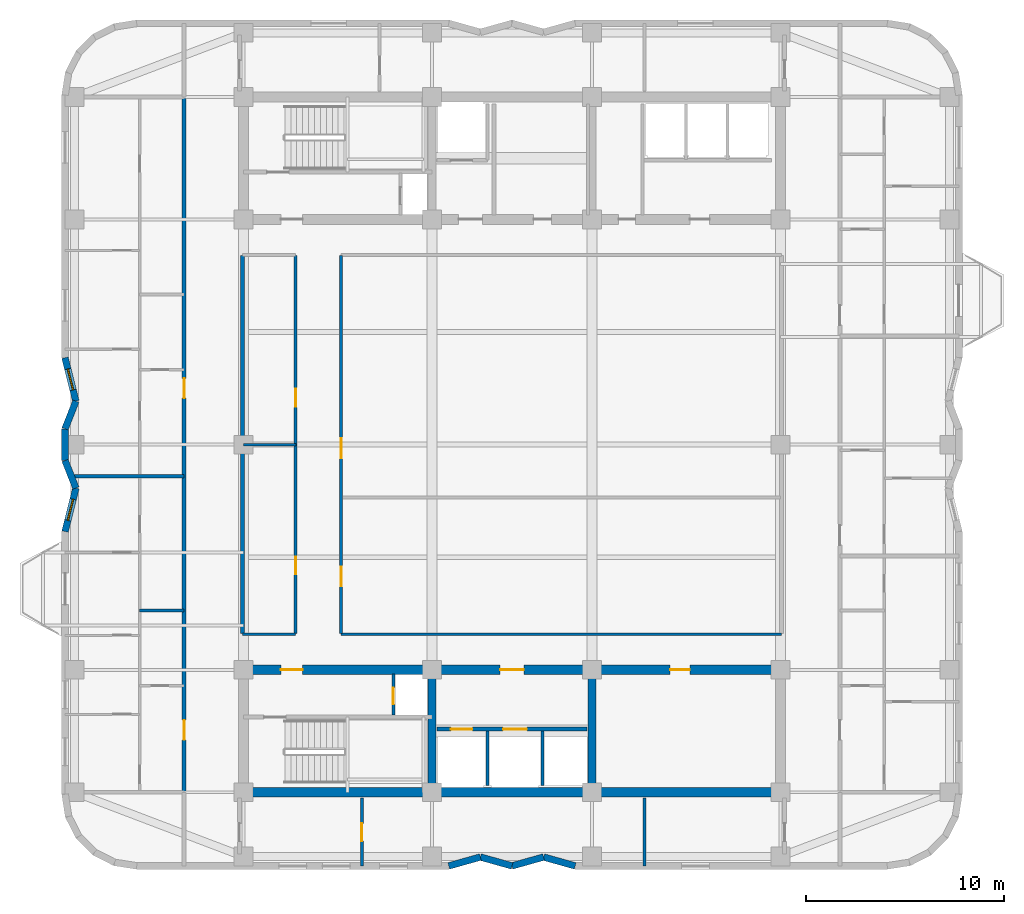
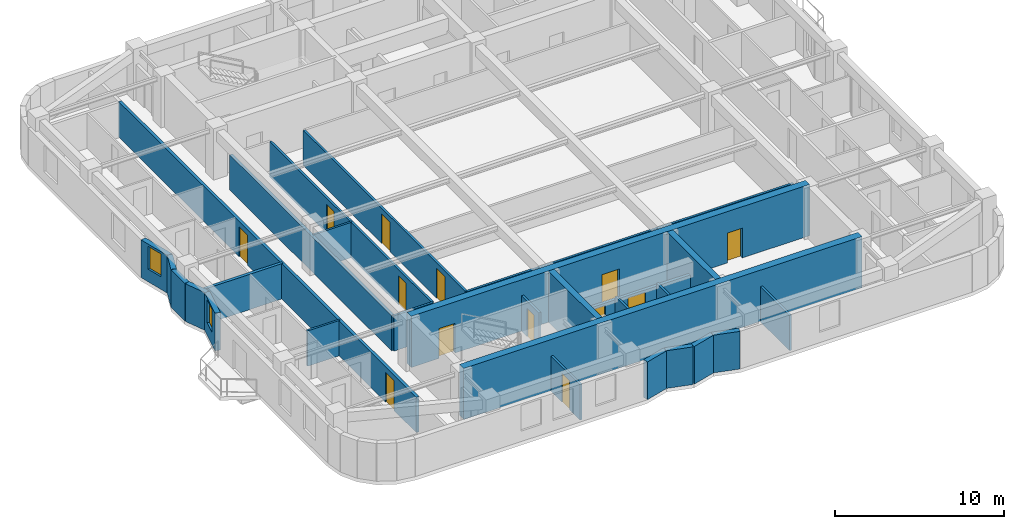
# One storey, part 3 of 8: 28 walls, 13 doors, 2 windows, 15 openings.
"""IFC4 building model written with IfcOpenShell, lengths in metres."""

from ifc_helpers import new_model, si_unit, direction, frame, frame_2d, origin, place, context, subcontext, project, spatial, rectangle, extrude, material, layer, layer_set, type_object, element, fill, save


model = new_model("IFC4")

# Units and contexts
model_context = context("Model", 3, precision=1e-05, world=origin(), true_north=direction((0.0, 1.0)))
body_context = subcontext(model_context, "Body", "Model", "MODEL_VIEW")
ifc_project = project(units=[si_unit("LENGTHUNIT", "METRE"), si_unit("AREAUNIT", "SQUARE_METRE"), si_unit("VOLUMEUNIT", "CUBIC_METRE"), si_unit("PLANEANGLEUNIT", "RADIAN"), si_unit("MASSUNIT", "GRAM", prefix="KILO")], contexts=[model_context])

# Site, building, storey
site_placement = place(None, origin())
site = spatial("IfcSite", under=ifc_project, at=site_placement, CompositionType="ELEMENT")
building_placement = place(site_placement, origin())
building = spatial("IfcBuilding", under=site, at=building_placement, Name="Svetorya Sky Lyceum", CompositionType="ELEMENT")
storey_placement = place(building_placement, frame((0.0, 0.0, 151.5)))
storey = spatial("IfcBuildingStorey", under=building, at=storey_placement, Name="L37", CompositionType="ELEMENT", Elevation=151.5)

# Walls
ifc_material_1 = material(Name="Concrete C40/50", Category="concrete")
ifc_layer_1 = layer(ifc_material_1, 0.39990234375)
ifc_layer_set_1 = layer_set([ifc_layer_1], Name="Concrete C40/50")
wall_type_1 = type_object("IfcWallType", Name="WL-CORE-400", PredefinedType="SHEAR", material=ifc_layer_set_1)
for number, where, z_axis, x_axis, name in (
    (1, (35.14990234375, 10.85009765625, 0.0), (0.0, 0.0, 1.0), (0.0, 1.0, 0.0), "L37 SC Internal Shear Web WEB1"),
    (2, (43.25, 10.85009765625, 0.0), (0.0, 0.0, 1.0), (0.0, 1.0, 0.0), "L37 SC Internal Shear Web WEB2"),
):
    element("IfcWall", number, at=place(storey_placement, frame(where, z_axis=z_axis, x_axis=x_axis)), inside=storey, type_object=wall_type_1, Name=name, PredefinedType="SHEAR", context=body_context, shape_type="SweptSolid", body=[
        extrude(rectangle(XDim=5.699951171875, YDim=0.39990234375, at=frame_2d((2.85009765625, 0.0))), origin(), (0.0, 0.0, 1.0), 3.699951171875),
    ])
ifc_material_2 = material(Name="Concrete C50/60", Category="concrete")
ifc_layer_2 = layer(ifc_material_2, 0.5)
ifc_layer_set_2 = layer_set([ifc_layer_2], Name="Concrete C50/60")
wall_type_2 = type_object("IfcWallType", Name="WL-CORE-500", PredefinedType="SHEAR", material=ifc_layer_set_2)
wall_1_placement = place(storey_placement, frame((52.800048828125, 10.60009765625, 0.0), z_axis=(0.0, 0.0, 1.0), x_axis=(-1.0, 0.0, 0.0)))
element("IfcWall", 3, at=wall_1_placement, inside=storey, type_object=wall_type_2, Name="L37 SC Outer Core Shear Wall", PredefinedType="SHEAR", context=body_context, shape_type="SweptSolid", body=[
    extrude(rectangle(XDim=27.199951171875, YDim=0.5, at=frame_2d((13.60009765625, 0.0))), origin(), (0.0, 0.0, 1.0), 3.699951171875),
])

# Wall, openings, doors
wall_2_placement = place(storey_placement, frame((25.60009765625, 16.800048828125, 0.0), z_axis=(0.0, 0.0, 1.0), x_axis=(1.0, 0.0, 0.0)))
wall_2 = element("IfcWall", 4, at=wall_2_placement, inside=storey, type_object=wall_type_2, Name="L37 SC Inner Core Shear Wall", PredefinedType="SHEAR", context=body_context, shape_type="SweptSolid", body=[
    extrude(rectangle(XDim=27.199951171875, YDim=0.5, at=frame_2d((13.60009765625, 0.0))), origin(), (0.0, 0.0, 1.0), 3.699951171875),
])
opening_1_placement = place(wall_2_placement, frame((1.89990234375, 0.0, 0.0)))
opening_1 = element("IfcOpeningElement", 5, at=opening_1_placement, cuts=wall_2, Name="Opening D-ST1", PredefinedType="OPENING", context=body_context, shape_type="SweptSolid", body=[
    extrude(rectangle(XDim=1.10009765625, YDim=2.14990234375, at=frame_2d((0.550048828125, 1.074951171875))), frame((0.0, 0.260009765625, 0.0), z_axis=(0.0, -1.0, 0.0), x_axis=(1.0, 0.0, 0.0)), (0.0, 0.0, 1.0), 0.52001953125),
])
opening_2_placement = place(wall_2_placement, frame((13.0, 0.0, 0.0)))
opening_2 = element("IfcOpeningElement", 6, at=opening_2_placement, cuts=wall_2, Name="Opening D-FL1", PredefinedType="OPENING", context=body_context, shape_type="SweptSolid", body=[
    extrude(rectangle(XDim=1.199951171875, YDim=2.14990234375, at=frame_2d((0.60009765625, 1.074951171875))), frame((0.0, 0.260009765625, 0.0), z_axis=(0.0, -1.0, 0.0), x_axis=(1.0, 0.0, 0.0)), (0.0, 0.0, 1.0), 0.52001953125),
])
opening_3_placement = place(wall_2_placement, frame((21.60009765625, 0.0, 0.0)))
opening_3 = element("IfcOpeningElement", 7, at=opening_3_placement, cuts=wall_2, Name="Opening D-RM2", PredefinedType="OPENING", context=body_context, shape_type="SweptSolid", body=[
    extrude(rectangle(XDim=1.0, YDim=2.14990234375, at=frame_2d((0.5, 1.074951171875))), frame((0.0, 0.260009765625, 0.0), z_axis=(0.0, -1.0, 0.0), x_axis=(1.0, 0.0, 0.0)), (0.0, 0.0, 1.0), 0.52001953125),
])
ifc_material_3 = material(Name="Powder-coated insulated galvanized stair fire door")
door_type_1 = type_object("IfcDoorType", Name="DR-FIRE-1100", OperationType="SINGLE_SWING_LEFT", PredefinedType="DOOR", material=ifc_material_3)
door_1_placement = place(opening_1_placement, origin())
door_1 = element("IfcDoor", 8, at=door_1_placement, inside=storey, type_object=door_type_1, Name="L37 South Stair Airlock Door", OperationType="SINGLE_SWING_RIGHT", OverallHeight=2.14990234375, OverallWidth=1.10009765625, PredefinedType="DOOR", context=body_context, shape_type="SweptSolid", body=[
    extrude(rectangle(XDim=1.10009765625, YDim=2.14990234375, at=frame_2d((0.550048828125, 1.074951171875))), frame((0.0, 0.02490234375, 0.0), z_axis=(0.0, -1.0, 0.0), x_axis=(1.0, 0.0, 0.0)), (0.0, 0.0, 1.0), 0.050048828125),
])
fill(opening_1, door_1)
ifc_material_4 = material(Name="Powder-coated insulated galvanized fire door")
door_type_2 = type_object("IfcDoorType", Name="DR-FIRE-1200", OperationType="SINGLE_SWING_LEFT", PredefinedType="DOOR", material=ifc_material_4)
door_2_placement = place(opening_2_placement, origin())
door_2 = element("IfcDoor", 9, at=door_2_placement, inside=storey, type_object=door_type_2, Name="L37 South Firefighting Lift Lobby Door", OperationType="SINGLE_SWING_LEFT", OverallHeight=2.14990234375, OverallWidth=1.199951171875, PredefinedType="DOOR", context=body_context, shape_type="SweptSolid", body=[
    extrude(rectangle(XDim=1.199951171875, YDim=2.14990234375, at=frame_2d((0.60009765625, 1.074951171875))), frame((0.0, 0.02490234375, 0.0), z_axis=(0.0, -1.0, 0.0), x_axis=(1.0, 0.0, 0.0)), (0.0, 0.0, 1.0), 0.050048828125),
])
fill(opening_2, door_2)
ifc_material_5 = material(Name="Solid-core oak acoustic room door")
door_type_3 = type_object("IfcDoorType", Name="DR-INT-1000", OperationType="SINGLE_SWING_LEFT", PredefinedType="DOOR", material=ifc_material_5)
door_3_placement = place(opening_3_placement, origin())
door_3 = element("IfcDoor", 10, at=door_3_placement, inside=storey, type_object=door_type_3, Name="L37 Trunk Store Door", OperationType="SINGLE_SWING_LEFT", OverallHeight=2.14990234375, OverallWidth=1.0, PredefinedType="DOOR", context=body_context, shape_type="SweptSolid", body=[
    extrude(rectangle(XDim=1.0, YDim=2.14990234375, at=frame_2d((0.5, 1.074951171875))), frame((0.0, 0.02490234375, 0.0), z_axis=(0.0, -1.0, 0.0), x_axis=(1.0, 0.0, 0.0)), (0.0, 0.0, 1.0), 0.050048828125),
])
fill(opening_3, door_3)

# Walls
ifc_material_6 = material(Name="Putilovo limestone rainscreen on autoclaved cellular masonry", Category="masonry")
ifc_layer_3 = layer(ifc_material_6, 0.340087890625)
ifc_layer_set_3 = layer_set([ifc_layer_3], Name="Putilovo limestone rainscreen on autoclaved cellular masonry")
wall_type_3 = type_object("IfcWallType", Name="WL-EXT-340", PredefinedType="SOLIDWALL", material=ifc_layer_set_3)
wall_3_placement = place(storey_placement, frame((36.0, 6.8701171875, 0.0), z_axis=(0.0, 0.0, 1.0), x_axis=(0.962662902433, 0.270703040766, 0.0)))
element("IfcWall", 11, at=wall_3_placement, inside=storey, type_object=wall_type_3, Name="L37 Limestone Exterior Wall 7M", PredefinedType="SOLIDWALL", context=body_context, shape_type="SweptSolid", body=[
    extrude(rectangle(XDim=1.662109375, YDim=0.340087890625, at=frame_2d((0.8310546875, 0.0))), origin(), (0.0, 0.0, 1.0), 2.719970703125),
])
wall_4_placement = place(storey_placement, frame((37.60009765625, 7.320068359375, 0.0), z_axis=(0.0, 0.0, 1.0), x_axis=(0.962652136636, -0.270741322725, 0.0)))
element("IfcWall", 12, at=wall_4_placement, inside=storey, type_object=wall_type_3, Name="L37 Limestone Exterior Wall 8M", PredefinedType="SOLIDWALL", context=body_context, shape_type="SweptSolid", body=[
    extrude(rectangle(XDim=1.661865234375, YDim=0.340087890625, at=frame_2d((0.8310546875, 0.0))), origin(), (0.0, 0.0, 1.0), 2.719970703125),
])
wall_5_placement = place(storey_placement, frame((39.199951171875, 6.8701171875, 0.0), z_axis=(0.0, 0.0, 1.0), x_axis=(0.962662902433, 0.270703040766, 0.0)))
element("IfcWall", 13, at=wall_5_placement, inside=storey, type_object=wall_type_3, Name="L37 Limestone Exterior Wall 9M", PredefinedType="SOLIDWALL", context=body_context, shape_type="SweptSolid", body=[
    extrude(rectangle(XDim=1.662109375, YDim=0.340087890625, at=frame_2d((0.8310546875, 0.0))), origin(), (0.0, 0.0, 1.0), 2.719970703125),
])
wall_6_placement = place(storey_placement, frame((40.800048828125, 7.320068359375, 0.0), z_axis=(0.0, 0.0, 1.0), x_axis=(0.962652136636, -0.270741322725, 0.0)))
element("IfcWall", 14, at=wall_6_placement, inside=storey, type_object=wall_type_3, Name="L37 Limestone Exterior Wall 10M", PredefinedType="SOLIDWALL", context=body_context, shape_type="SweptSolid", body=[
    extrude(rectangle(XDim=1.661865234375, YDim=0.340087890625, at=frame_2d((0.8310546875, 0.0))), origin(), (0.0, 0.0, 1.0), 2.719970703125),
])

# Wall, opening, window
wall_7_placement = place(storey_placement, frame((16.570068359375, 32.60009765625, 0.0), z_axis=(0.0, 0.0, 1.0), x_axis=(0.242535625036, -0.970142500145, 0.0)))
wall_7 = element("IfcWall", 15, at=wall_7_placement, inside=storey, type_object=wall_type_3, Name="L37 Limestone Exterior Wall 41M", PredefinedType="SOLIDWALL", context=body_context, shape_type="SweptSolid", body=[
    extrude(rectangle(XDim=2.267822265625, YDim=0.340087890625, at=frame_2d((1.1337890625, 0.0))), origin(), (0.0, 0.0, 1.0), 2.719970703125),
])
opening_4_placement = place(wall_7_placement, frame((0.583984375, 0.0, 0.909912109375)))
opening_4 = element("IfcOpeningElement", 16, at=opening_4_placement, cuts=wall_7, Name="Opening W-R3", PredefinedType="OPENING", context=body_context, shape_type="SweptSolid", body=[
    extrude(rectangle(XDim=1.10009765625, YDim=1.64990234375, at=frame_2d((0.550048828125, 0.824951171875))), frame((0.0, 0.179931640625, 0.0), z_axis=(0.0, -1.0, 0.0), x_axis=(1.0, 0.0, 0.0)), (0.0, 0.0, 1.0), 0.360107421875),
])
ifc_material_7 = material(Name="Thermally broken aluminium frame with triple low-E glazing", Category="aluminium")
window_type = type_object("IfcWindowType", Name="WN-RES-110", PartitioningType="SINGLE_PANEL", PredefinedType="WINDOW", material=ifc_material_7)
window_1_placement = place(opening_4_placement, origin())
window_1 = element("IfcWindow", 17, at=window_1_placement, inside=storey, type_object=window_type, Name="L37 Facade Window W-R3.41M.1", OverallHeight=1.64990234375, OverallWidth=1.10009765625, PartitioningType="SINGLE_PANEL", PredefinedType="WINDOW", context=body_context, shape_type="SweptSolid", body=[
    extrude(rectangle(XDim=1.10009765625, YDim=1.64990234375, at=frame_2d((0.550048828125, 0.824951171875))), frame((0.0, 0.030029296875, 0.0), z_axis=(0.0, -1.0, 0.0), x_axis=(1.0, 0.0, 0.0)), (0.0, 0.0, 1.0), 0.06005859375),
])
fill(opening_4, window_1)

# Walls
wall_8_placement = place(storey_placement, frame((17.1201171875, 30.39990234375, 0.0), z_axis=(0.0, 0.0, 1.0), x_axis=(-0.365702591843, -0.930731762818, 0.0)))
element("IfcWall", 18, at=wall_8_placement, inside=storey, type_object=wall_type_3, Name="L37 Limestone Exterior Wall 42M", PredefinedType="SOLIDWALL", context=body_context, shape_type="SweptSolid", body=[
    extrude(rectangle(XDim=1.504150390625, YDim=0.340087890625, at=frame_2d((0.751953125, 0.0))), origin(), (0.0, 0.0, 1.0), 2.719970703125),
])
wall_9_placement = place(storey_placement, frame((16.570068359375, 29.0, 0.0), z_axis=(0.0, 0.0, 1.0), x_axis=(0.0, -1.0, 0.0)))
element("IfcWall", 19, at=wall_9_placement, inside=storey, type_object=wall_type_3, Name="L37 Limestone Exterior Wall 43M", PredefinedType="SOLIDWALL", context=body_context, shape_type="SweptSolid", body=[
    extrude(rectangle(XDim=1.60009765625, YDim=0.340087890625, at=frame_2d((0.800048828125, 0.0))), origin(), (0.0, 0.0, 1.0), 2.719970703125),
])
wall_10_placement = place(storey_placement, frame((16.570068359375, 27.39990234375, 0.0), z_axis=(0.0, 0.0, 1.0), x_axis=(0.365702591843, -0.930731762818, 0.0)))
element("IfcWall", 20, at=wall_10_placement, inside=storey, type_object=wall_type_3, Name="L37 Limestone Exterior Wall 44M", PredefinedType="SOLIDWALL", context=body_context, shape_type="SweptSolid", body=[
    extrude(rectangle(XDim=1.504150390625, YDim=0.340087890625, at=frame_2d((0.751953125, 0.0))), origin(), (0.0, 0.0, 1.0), 2.719970703125),
])

# Wall, opening, window
wall_11_placement = place(storey_placement, frame((17.1201171875, 26.0, 0.0), z_axis=(0.0, 0.0, 1.0), x_axis=(-0.242560957029, -0.970136166796, 0.0)))
wall_11 = element("IfcWall", 21, at=wall_11_placement, inside=storey, type_object=wall_type_3, Name="L37 Limestone Exterior Wall 45M", PredefinedType="SOLIDWALL", context=body_context, shape_type="SweptSolid", body=[
    extrude(rectangle(XDim=2.267578125, YDim=0.340087890625, at=frame_2d((1.1337890625, 0.0))), origin(), (0.0, 0.0, 1.0), 2.719970703125),
])
opening_5_placement = place(wall_11_placement, frame((0.583984375, 0.0, 0.909912109375)))
opening_5 = element("IfcOpeningElement", 22, at=opening_5_placement, cuts=wall_11, Name="Opening W-R3", PredefinedType="OPENING", context=body_context, shape_type="SweptSolid", body=[
    extrude(rectangle(XDim=1.10009765625, YDim=1.64990234375, at=frame_2d((0.550048828125, 0.824951171875))), frame((0.0, 0.179931640625, 0.0), z_axis=(0.0, -1.0, 0.0), x_axis=(1.0, 0.0, 0.0)), (0.0, 0.0, 1.0), 0.360107421875),
])
window_2_placement = place(opening_5_placement, origin())
window_2 = element("IfcWindow", 23, at=window_2_placement, inside=storey, type_object=window_type, Name="L37 Facade Window W-R3.45M.1", OverallHeight=1.64990234375, OverallWidth=1.10009765625, PartitioningType="SINGLE_PANEL", PredefinedType="WINDOW", context=body_context, shape_type="SweptSolid", body=[
    extrude(rectangle(XDim=1.10009765625, YDim=1.64990234375, at=frame_2d((0.550048828125, 0.824951171875))), frame((0.0, 0.030029296875, 0.0), z_axis=(0.0, -1.0, 0.0), x_axis=(1.0, 0.0, 0.0)), (0.0, 0.0, 1.0), 0.06005859375),
])
fill(opening_5, window_2)

# Walls
ifc_material_8 = material(Name="Twin-stud galvanized framing with acoustic board", Category="gypsum")
ifc_layer_4 = layer(ifc_material_8, 0.135009765625)
ifc_layer_set_4 = layer_set([ifc_layer_4], Name="Twin-stud galvanized framing with acoustic board")
wall_type_4 = type_object("IfcWallType", Name="WL-PART-135", PredefinedType="PARTITIONING", material=ifc_layer_set_4)
wall_12_placement = place(storey_placement, frame((25.60009765625, 28.199951171875, 0.0), z_axis=(0.0, 0.0, 1.0), x_axis=(1.0, 0.0, 0.0)))
element("IfcWall", 24, at=wall_12_placement, inside=storey, type_object=wall_type_4, Name="L37 Interior Partition OFF-HW", PredefinedType="PARTITIONING", context=body_context, shape_type="SweptSolid", body=[
    extrude(rectangle(XDim=2.659912109375, YDim=0.135009765625, at=frame_2d((1.330078125, 0.0))), origin(), (0.0, 0.0, 1.0), 2.550048828125),
])
wall_13_placement = place(storey_placement, frame((20.35009765625, 19.800048828125, 0.0), z_axis=(0.0, 0.0, 1.0), x_axis=(1.0, 0.0, 0.0)))
element("IfcWall", 25, at=wall_13_placement, inside=storey, type_object=wall_type_4, Name="L37 Interior Partition W1-WH2", PredefinedType="PARTITIONING", context=body_context, shape_type="SweptSolid", body=[
    extrude(rectangle(XDim=2.25, YDim=0.135009765625, at=frame_2d((1.125, 0.0))), origin(), (0.0, 0.0, 1.0), 2.550048828125),
])

# Wall, opening, door
ifc_material_9 = material(Name="Autoclaved cellular masonry blockwork with acoustic render", Category="masonry")
ifc_layer_5 = layer(ifc_material_9, 0.14990234375)
ifc_layer_set_5 = layer_set([ifc_layer_5], Name="Autoclaved cellular masonry blockwork with acoustic render")
wall_type_5 = type_object("IfcWallType", Name="WL-PART-150", PredefinedType="PARTITIONING", material=ifc_layer_set_5)
wall_14_placement = place(storey_placement, frame((33.199951171875, 14.5, 0.0), z_axis=(0.0, 0.0, 1.0), x_axis=(0.0, 1.0, 0.0)))
wall_14 = element("IfcWall", 26, at=wall_14_placement, inside=storey, type_object=wall_type_5, Name="L37 Interior Partition SC-AIRDIV", PredefinedType="PARTITIONING", context=body_context, shape_type="SweptSolid", body=[
    extrude(rectangle(XDim=2.080078125, YDim=0.14990234375, at=frame_2d((1.0400390625, 0.0))), origin(), (0.0, 0.0, 1.0), 2.550048828125),
])
opening_6_placement = place(wall_14_placement, frame((0.550048828125, 0.0, 0.0)))
opening_6 = element("IfcOpeningElement", 27, at=opening_6_placement, cuts=wall_14, Name="Opening D-SH1", PredefinedType="OPENING", context=body_context, shape_type="SweptSolid", body=[
    extrude(rectangle(XDim=0.85009765625, YDim=2.050048828125, at=frame_2d((0.425048828125, 1.02490234375))), frame((0.0, 0.0849609375, 0.0), z_axis=(0.0, -1.0, 0.0), x_axis=(1.0, 0.0, 0.0)), (0.0, 0.0, 1.0), 0.169921875),
])
ifc_material_10 = material(Name="Insulated galvanized riser inspection fire door")
door_type_4 = type_object("IfcDoorType", Name="DR-SHFT-850", OperationType="SINGLE_SWING_LEFT", PredefinedType="TRAPDOOR", material=ifc_material_10)
door_4_placement = place(opening_6_placement, origin())
door_4 = element("IfcDoor", 28, at=door_4_placement, inside=storey, type_object=door_type_4, Name="L37 South Riser Access Door", OperationType="SINGLE_SWING_RIGHT", OverallHeight=2.050048828125, OverallWidth=0.85009765625, PredefinedType="TRAPDOOR", context=body_context, shape_type="SweptSolid", body=[
    extrude(rectangle(XDim=0.85009765625, YDim=2.050048828125, at=frame_2d((0.425048828125, 1.02490234375))), frame((0.0, 0.02490234375, 0.0), z_axis=(0.0, -1.0, 0.0), x_axis=(1.0, 0.0, 0.0)), (0.0, 0.0, 1.0), 0.050048828125),
])
fill(opening_6, door_4)

# Walls
for number, where, z_axis, x_axis, name in (
    (29, (37.949951171875, 10.949951171875, 0.0), (0.0, 0.0, 1.0), (0.0, 1.0, 0.0), "L37 Interior Partition SC-SHD1"),
    (30, (40.75, 10.949951171875, 0.0), (0.0, 0.0, 1.0), (0.0, 1.0, 0.0), "L37 Interior Partition SC-SHD2"),
):
    element("IfcWall", number, at=place(storey_placement, frame(where, z_axis=z_axis, x_axis=x_axis)), inside=storey, type_object=wall_type_5, Name=name, PredefinedType="PARTITIONING", context=body_context, shape_type="SweptSolid", body=[
        extrude(rectangle(XDim=2.75, YDim=0.14990234375, at=frame_2d((1.375, 0.0))), origin(), (0.0, 0.0, 1.0), 2.550048828125),
    ])
wall_15_placement = place(storey_placement, frame((25.550048828125, 18.60009765625, 0.0), z_axis=(0.0, 0.0, 1.0), x_axis=(1.0, 0.0, 0.0)))
element("IfcWall", 31, at=wall_15_placement, inside=storey, type_object=wall_type_5, Name="L37 Interior Partition OFF-CS-W", PredefinedType="PARTITIONING", context=body_context, shape_type="SweptSolid", body=[
    extrude(rectangle(XDim=2.699951171875, YDim=0.14990234375, at=frame_2d((1.35009765625, 0.0))), origin(), (0.0, 0.0, 1.0), 2.550048828125),
])
wall_16_placement = place(storey_placement, frame((30.550048828125, 18.60009765625, 0.0), z_axis=(0.0, 0.0, 1.0), x_axis=(1.0, 0.0, 0.0)))
element("IfcWall", 32, at=wall_16_placement, inside=storey, type_object=wall_type_5, Name="L37 Interior Partition OFF-CS-E", PredefinedType="PARTITIONING", context=body_context, shape_type="SweptSolid", body=[
    extrude(rectangle(XDim=22.300048828125, YDim=0.14990234375, at=frame_2d((11.14990234375, 0.0))), origin(), (0.0, 0.0, 1.0), 2.550048828125),
])

# Wall, openings, doors
wall_17_placement = place(storey_placement, frame((28.25, 18.6298828125, 0.0), z_axis=(0.0, 0.0, 1.0), x_axis=(0.0, 1.0, 0.0)))
wall_17 = element("IfcWall", 33, at=wall_17_placement, inside=storey, type_object=wall_type_5, Name="L37 Interior Partition OFF-VW", PredefinedType="PARTITIONING", context=body_context, shape_type="SweptSolid", body=[
    extrude(rectangle(XDim=19.14013671875, YDim=0.14990234375, at=frame_2d((9.570068359375, 0.0))), origin(), (0.0, 0.0, 1.0), 2.550048828125),
])
opening_7_placement = place(wall_17_placement, frame((3.0, 0.0, 0.0)))
opening_7 = element("IfcOpeningElement", 34, at=opening_7_placement, cuts=wall_17, Name="Opening D-RM1", PredefinedType="OPENING", context=body_context, shape_type="SweptSolid", body=[
    extrude(rectangle(XDim=0.89990234375, YDim=2.10009765625, at=frame_2d((0.449951171875, 1.050048828125))), frame((0.0, 0.0849609375, 0.0), z_axis=(0.0, -1.0, 0.0), x_axis=(1.0, 0.0, 0.0)), (0.0, 0.0, 1.0), 0.169921875),
])
opening_8_placement = place(wall_17_placement, frame((11.5, 0.0, 0.0)))
opening_8 = element("IfcOpeningElement", 35, at=opening_8_placement, cuts=wall_17, Name="Opening D-RM1", PredefinedType="OPENING", context=body_context, shape_type="SweptSolid", body=[
    extrude(rectangle(XDim=0.89990234375, YDim=2.10009765625, at=frame_2d((0.449951171875, 1.050048828125))), frame((0.0, 0.0849609375, 0.0), z_axis=(0.0, -1.0, 0.0), x_axis=(1.0, 0.0, 0.0)), (0.0, 0.0, 1.0), 0.169921875),
])
ifc_material_11 = material(Name="Lacquered birch veneer internal door")
door_type_5 = type_object("IfcDoorType", Name="DR-INT-900", OperationType="SINGLE_SWING_LEFT", PredefinedType="DOOR", material=ifc_material_11)
door_5_placement = place(opening_7_placement, origin())
door_5 = element("IfcDoor", 36, at=door_5_placement, inside=storey, type_object=door_type_5, Name="L37 Study Door", OperationType="SINGLE_SWING_LEFT", OverallHeight=2.10009765625, OverallWidth=0.89990234375, PredefinedType="DOOR", context=body_context, shape_type="SweptSolid", body=[
    extrude(rectangle(XDim=0.89990234375, YDim=2.10009765625, at=frame_2d((0.449951171875, 1.050048828125))), frame((0.0, 0.02490234375, 0.0), z_axis=(0.0, -1.0, 0.0), x_axis=(1.0, 0.0, 0.0)), (0.0, 0.0, 1.0), 0.050048828125),
])
fill(opening_7, door_5)
door_6_placement = place(opening_8_placement, origin())
door_6 = element("IfcDoor", 37, at=door_6_placement, inside=storey, type_object=door_type_5, Name="L37 Focus Door", OperationType="SINGLE_SWING_RIGHT", OverallHeight=2.10009765625, OverallWidth=0.89990234375, PredefinedType="DOOR", context=body_context, shape_type="SweptSolid", body=[
    extrude(rectangle(XDim=0.89990234375, YDim=2.10009765625, at=frame_2d((0.449951171875, 1.050048828125))), frame((0.0, 0.02490234375, 0.0), z_axis=(0.0, -1.0, 0.0), x_axis=(1.0, 0.0, 0.0)), (0.0, 0.0, 1.0), 0.050048828125),
])
fill(opening_8, door_6)

wall_18_placement = place(storey_placement, frame((30.550048828125, 18.6298828125, 0.0), z_axis=(0.0, 0.0, 1.0), x_axis=(0.0, 1.0, 0.0)))
wall_18 = element("IfcWall", 38, at=wall_18_placement, inside=storey, type_object=wall_type_5, Name="L37 Interior Partition OFF-VE", PredefinedType="PARTITIONING", context=body_context, shape_type="SweptSolid", body=[
    extrude(rectangle(XDim=19.14013671875, YDim=0.14990234375, at=frame_2d((9.570068359375, 0.0))), origin(), (0.0, 0.0, 1.0), 2.550048828125),
])
opening_9_placement = place(wall_18_placement, frame((2.39990234375, 0.0, 0.0)))
opening_9 = element("IfcOpeningElement", 39, at=opening_9_placement, cuts=wall_18, Name="Opening D-RM2", PredefinedType="OPENING", context=body_context, shape_type="SweptSolid", body=[
    extrude(rectangle(XDim=1.0, YDim=2.14990234375, at=frame_2d((0.5, 1.074951171875))), frame((0.0, 0.0849609375, 0.0), z_axis=(0.0, -1.0, 0.0), x_axis=(1.0, 0.0, 0.0)), (0.0, 0.0, 1.0), 0.169921875),
])
opening_10_placement = place(wall_18_placement, frame((8.890380859375, 0.0, 0.0)))
opening_10 = element("IfcOpeningElement", 40, at=opening_10_placement, cuts=wall_18, Name="Opening D-RM2", PredefinedType="OPENING", context=body_context, shape_type="SweptSolid", body=[
    extrude(rectangle(XDim=1.0, YDim=2.14990234375, at=frame_2d((0.5, 1.074951171875))), frame((0.0, 0.0849609375, 0.0), z_axis=(0.0, -1.0, 0.0), x_axis=(1.0, 0.0, 0.0)), (0.0, 0.0, 1.0), 0.169921875),
])
door_7_placement = place(opening_9_placement, origin())
door_7 = element("IfcDoor", 41, at=door_7_placement, inside=storey, type_object=door_type_3, Name="L37 Club Door", OperationType="SINGLE_SWING_RIGHT", OverallHeight=2.14990234375, OverallWidth=1.0, PredefinedType="DOOR", context=body_context, shape_type="SweptSolid", body=[
    extrude(rectangle(XDim=1.0, YDim=2.14990234375, at=frame_2d((0.5, 1.074951171875))), frame((0.0, 0.02490234375, 0.0), z_axis=(0.0, -1.0, 0.0), x_axis=(1.0, 0.0, 0.0)), (0.0, 0.0, 1.0), 0.050048828125),
])
fill(opening_9, door_7)
door_8_placement = place(opening_10_placement, origin())
door_8 = element("IfcDoor", 42, at=door_8_placement, inside=storey, type_object=door_type_3, Name="L37 Seminar Door", OperationType="SINGLE_SWING_LEFT", OverallHeight=2.14990234375, OverallWidth=1.0, PredefinedType="DOOR", context=body_context, shape_type="SweptSolid", body=[
    extrude(rectangle(XDim=1.0, YDim=2.14990234375, at=frame_2d((0.5, 1.074951171875))), frame((0.0, 0.02490234375, 0.0), z_axis=(0.0, -1.0, 0.0), x_axis=(1.0, 0.0, 0.0)), (0.0, 0.0, 1.0), 0.050048828125),
])
fill(opening_10, door_8)

# Wall, opening, door
wall_19_placement = place(storey_placement, frame((31.60009765625, 6.8701171875, 0.0), z_axis=(0.0, 0.0, 1.0), x_axis=(0.0, 1.0, 0.0)))
wall_19 = element("IfcWall", 43, at=wall_19_placement, inside=storey, type_object=wall_type_5, Name="L37 Interior Partition S-D1", PredefinedType="PARTITIONING", context=body_context, shape_type="SweptSolid", body=[
    extrude(rectangle(XDim=3.429931640625, YDim=0.14990234375, at=frame_2d((1.71484375, 0.0))), origin(), (0.0, 0.0, 1.0), 2.550048828125),
])
opening_11_placement = place(wall_19_placement, frame((1.25, 0.0, 0.0)))
opening_11 = element("IfcOpeningElement", 44, at=opening_11_placement, cuts=wall_19, Name="Opening D-RM1", PredefinedType="OPENING", context=body_context, shape_type="SweptSolid", body=[
    extrude(rectangle(XDim=0.89990234375, YDim=2.10009765625, at=frame_2d((0.449951171875, 1.050048828125))), frame((0.0, 0.0849609375, 0.0), z_axis=(0.0, -1.0, 0.0), x_axis=(1.0, 0.0, 0.0)), (0.0, 0.0, 1.0), 0.169921875),
])
door_9_placement = place(opening_11_placement, origin())
door_9 = element("IfcDoor", 45, at=door_9_placement, inside=storey, type_object=door_type_5, Name="L37 South Store Door", OperationType="SINGLE_SWING_LEFT", OverallHeight=2.10009765625, OverallWidth=0.89990234375, PredefinedType="DOOR", context=body_context, shape_type="SweptSolid", body=[
    extrude(rectangle(XDim=0.89990234375, YDim=2.10009765625, at=frame_2d((0.449951171875, 1.050048828125))), frame((0.0, 0.02490234375, 0.0), z_axis=(0.0, -1.0, 0.0), x_axis=(1.0, 0.0, 0.0)), (0.0, 0.0, 1.0), 0.050048828125),
])
fill(opening_11, door_9)

# Wall
wall_20_placement = place(storey_placement, frame((45.89990234375, 6.8701171875, 0.0), z_axis=(0.0, 0.0, 1.0), x_axis=(0.0, 1.0, 0.0)))
element("IfcWall", 46, at=wall_20_placement, inside=storey, type_object=wall_type_5, Name="L37 Interior Partition S-D2", PredefinedType="PARTITIONING", context=body_context, shape_type="SweptSolid", body=[
    extrude(rectangle(XDim=3.429931640625, YDim=0.14990234375, at=frame_2d((1.71484375, 0.0))), origin(), (0.0, 0.0, 1.0), 2.550048828125),
])

# Wall, openings, doors
ifc_material_12 = material(Name="Autoclaved cellular masonry blockwork with gypsum plaster", Category="masonry")
ifc_layer_6 = layer(ifc_material_12, 0.199951171875)
ifc_layer_set_6 = layer_set([ifc_layer_6], Name="Autoclaved cellular masonry blockwork with gypsum plaster")
wall_type_6 = type_object("IfcWallType", Name="WL-PART-200", PredefinedType="PARTITIONING", material=ifc_layer_set_6)
wall_21_placement = place(storey_placement, frame((35.39990234375, 13.800048828125, 0.0), z_axis=(0.0, 0.0, 1.0), x_axis=(1.0, 0.0, 0.0)))
wall_21 = element("IfcWall", 47, at=wall_21_placement, inside=storey, type_object=wall_type_6, Name="L37 Interior Partition SC-FLW", PredefinedType="PARTITIONING", context=body_context, shape_type="SweptSolid", body=[
    extrude(rectangle(XDim=7.60009765625, YDim=0.199951171875, at=frame_2d((3.800048828125, 0.0))), origin(), (0.0, 0.0, 1.0), 2.320068359375),
])
opening_12_placement = place(wall_21_placement, frame((0.699951171875, 0.0, 0.0)))
opening_12 = element("IfcOpeningElement", 48, at=opening_12_placement, cuts=wall_21, Name="Opening LD-FL", PredefinedType="OPENING", context=body_context, shape_type="SweptSolid", body=[
    extrude(rectangle(XDim=1.10009765625, YDim=2.14990234375, at=frame_2d((0.550048828125, 1.074951171875))), frame((0.0, 0.10986328125, 0.0), z_axis=(0.0, -1.0, 0.0), x_axis=(1.0, 0.0, 0.0)), (0.0, 0.0, 1.0), 0.219970703125),
])
opening_13_placement = place(wall_21_placement, frame((3.35009765625, 0.0, 0.0)))
opening_13 = element("IfcOpeningElement", 49, at=opening_13_placement, cuts=wall_21, Name="Opening LD-SV", PredefinedType="OPENING", context=body_context, shape_type="SweptSolid", body=[
    extrude(rectangle(XDim=1.199951171875, YDim=2.14990234375, at=frame_2d((0.60009765625, 1.074951171875))), frame((0.0, 0.10986328125, 0.0), z_axis=(0.0, -1.0, 0.0), x_axis=(1.0, 0.0, 0.0)), (0.0, 0.0, 1.0), 0.219970703125),
])
ifc_material_13 = material(Name="Fire-rated stainless AISI 304 firefighting lift landing door")
door_type_6 = type_object("IfcDoorType", Name="DR-LIFT-1100", OperationType="SLIDING_TO_LEFT", PredefinedType="DOOR", material=ifc_material_13)
door_10_placement = place(opening_12_placement, origin())
door_10 = element("IfcDoor", 50, at=door_10_placement, inside=storey, type_object=door_type_6, Name="L37 Firefighting Lift FL2 Landing Door", OperationType="SLIDING_TO_LEFT", OverallHeight=2.14990234375, OverallWidth=1.10009765625, PredefinedType="DOOR", context=body_context, shape_type="SweptSolid", body=[
    extrude(rectangle(XDim=1.10009765625, YDim=2.14990234375, at=frame_2d((0.550048828125, 1.074951171875))), frame((0.0, 0.02490234375, 0.0), z_axis=(0.0, -1.0, 0.0), x_axis=(1.0, 0.0, 0.0)), (0.0, 0.0, 1.0), 0.050048828125),
])
fill(opening_12, door_10)
ifc_material_14 = material(Name="Brushed stainless AISI 304 telescopic lift landing door")
door_type_7 = type_object("IfcDoorType", Name="DR-LIFT-1200", OperationType="SLIDING_TO_LEFT", PredefinedType="DOOR", material=ifc_material_14)
door_11_placement = place(opening_13_placement, origin())
door_11 = element("IfcDoor", 51, at=door_11_placement, inside=storey, type_object=door_type_7, Name="L37 Service Lift SVL1 Landing Door", OperationType="SLIDING_TO_LEFT", OverallHeight=2.14990234375, OverallWidth=1.199951171875, PredefinedType="DOOR", context=body_context, shape_type="SweptSolid", body=[
    extrude(rectangle(XDim=1.199951171875, YDim=2.14990234375, at=frame_2d((0.60009765625, 1.074951171875))), frame((0.0, 0.02490234375, 0.0), z_axis=(0.0, -1.0, 0.0), x_axis=(1.0, 0.0, 0.0)), (0.0, 0.0, 1.0), 0.050048828125),
])
fill(opening_13, door_11)

# Walls
wall_22_placement = place(storey_placement, frame((25.550048828125, 18.6298828125, 0.0), z_axis=(0.0, 0.0, 1.0), x_axis=(0.0, 1.0, 0.0)))
element("IfcWall", 52, at=wall_22_placement, inside=storey, type_object=wall_type_6, Name="L37 Interior Partition W-CEN-SEP", PredefinedType="PARTITIONING", context=body_context, shape_type="SweptSolid", body=[
    extrude(rectangle(XDim=19.14013671875, YDim=0.199951171875, at=frame_2d((9.570068359375, 0.0))), origin(), (0.0, 0.0, 1.0), 2.550048828125),
])
wall_23_placement = place(storey_placement, frame((16.88427734375, 26.60009765625, 0.0), z_axis=(0.0, 0.0, 1.0), x_axis=(1.0, 0.0, 0.0)))
element("IfcWall", 53, at=wall_23_placement, inside=storey, type_object=wall_type_6, Name="L37 Interior Partition W-PARTY-1", PredefinedType="PARTITIONING", context=body_context, shape_type="SweptSolid", body=[
    extrude(rectangle(XDim=5.7158203125, YDim=0.199951171875, at=frame_2d((2.85791015625, 0.0))), origin(), (0.0, 0.0, 1.0), 2.550048828125),
])

# Wall, openings, doors
wall_24_placement = place(storey_placement, frame((22.60009765625, 10.60009765625, 0.0), z_axis=(0.0, 0.0, 1.0), x_axis=(0.0, 1.0, 0.0)))
wall_24 = element("IfcWall", 54, at=wall_24_placement, inside=storey, type_object=wall_type_6, Name="L37 Interior Partition W-CORRW", PredefinedType="PARTITIONING", context=body_context, shape_type="SweptSolid", body=[
    extrude(rectangle(XDim=35.199951171875, YDim=0.199951171875, at=frame_2d((17.60009765625, 0.0))), origin(), (0.0, 0.0, 1.0), 2.550048828125),
])
opening_14_placement = place(wall_24_placement, frame((2.64990234375, 0.0, 0.0)))
opening_14 = element("IfcOpeningElement", 55, at=opening_14_placement, cuts=wall_24, Name="Opening D-APT1", PredefinedType="OPENING", context=body_context, shape_type="SweptSolid", body=[
    extrude(rectangle(XDim=1.0, YDim=2.14990234375, at=frame_2d((0.5, 1.074951171875))), frame((0.0, 0.10986328125, 0.0), z_axis=(0.0, -1.0, 0.0), x_axis=(1.0, 0.0, 0.0)), (0.0, 0.0, 1.0), 0.219970703125),
])
opening_15_placement = place(wall_24_placement, frame((19.949951171875, 0.0, 0.0)))
opening_15 = element("IfcOpeningElement", 56, at=opening_15_placement, cuts=wall_24, Name="Opening D-APT1", PredefinedType="OPENING", context=body_context, shape_type="SweptSolid", body=[
    extrude(rectangle(XDim=1.0, YDim=2.14990234375, at=frame_2d((0.5, 1.074951171875))), frame((0.0, 0.10986328125, 0.0), z_axis=(0.0, -1.0, 0.0), x_axis=(1.0, 0.0, 0.0)), (0.0, 0.0, 1.0), 0.219970703125),
])
ifc_material_15 = material(Name="Insulated oak-veneered apartment entrance door")
door_type_8 = type_object("IfcDoorType", Name="DR-APT-1000", OperationType="SINGLE_SWING_LEFT", PredefinedType="DOOR", material=ifc_material_15)
door_12_placement = place(opening_14_placement, origin())
door_12 = element("IfcDoor", 57, at=door_12_placement, inside=storey, type_object=door_type_8, Name="L37 Apartment W1 Entrance Door", OperationType="SINGLE_SWING_LEFT", OverallHeight=2.14990234375, OverallWidth=1.0, PredefinedType="DOOR", context=body_context, shape_type="SweptSolid", body=[
    extrude(rectangle(XDim=1.0, YDim=2.14990234375, at=frame_2d((0.5, 1.074951171875))), frame((0.0, 0.02490234375, 0.0), z_axis=(0.0, -1.0, 0.0), x_axis=(1.0, 0.0, 0.0)), (0.0, 0.0, 1.0), 0.050048828125),
])
fill(opening_14, door_12)
door_13_placement = place(opening_15_placement, origin())
door_13 = element("IfcDoor", 58, at=door_13_placement, inside=storey, type_object=door_type_8, Name="L37 Apartment W2 Entrance Door", OperationType="SINGLE_SWING_RIGHT", OverallHeight=2.14990234375, OverallWidth=1.0, PredefinedType="DOOR", context=body_context, shape_type="SweptSolid", body=[
    extrude(rectangle(XDim=1.0, YDim=2.14990234375, at=frame_2d((0.5, 1.074951171875))), frame((0.0, 0.02490234375, 0.0), z_axis=(0.0, -1.0, 0.0), x_axis=(1.0, 0.0, 0.0)), (0.0, 0.0, 1.0), 0.050048828125),
])
fill(opening_15, door_13)

save(model, "model.ifc")
